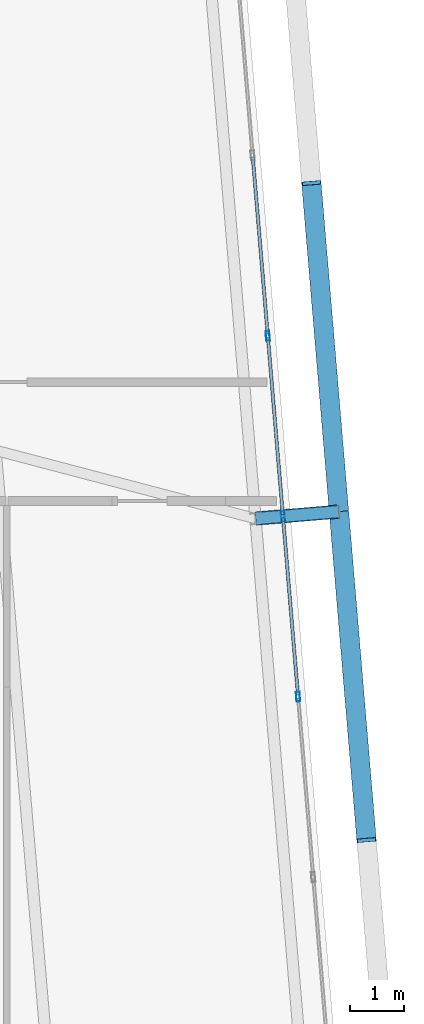
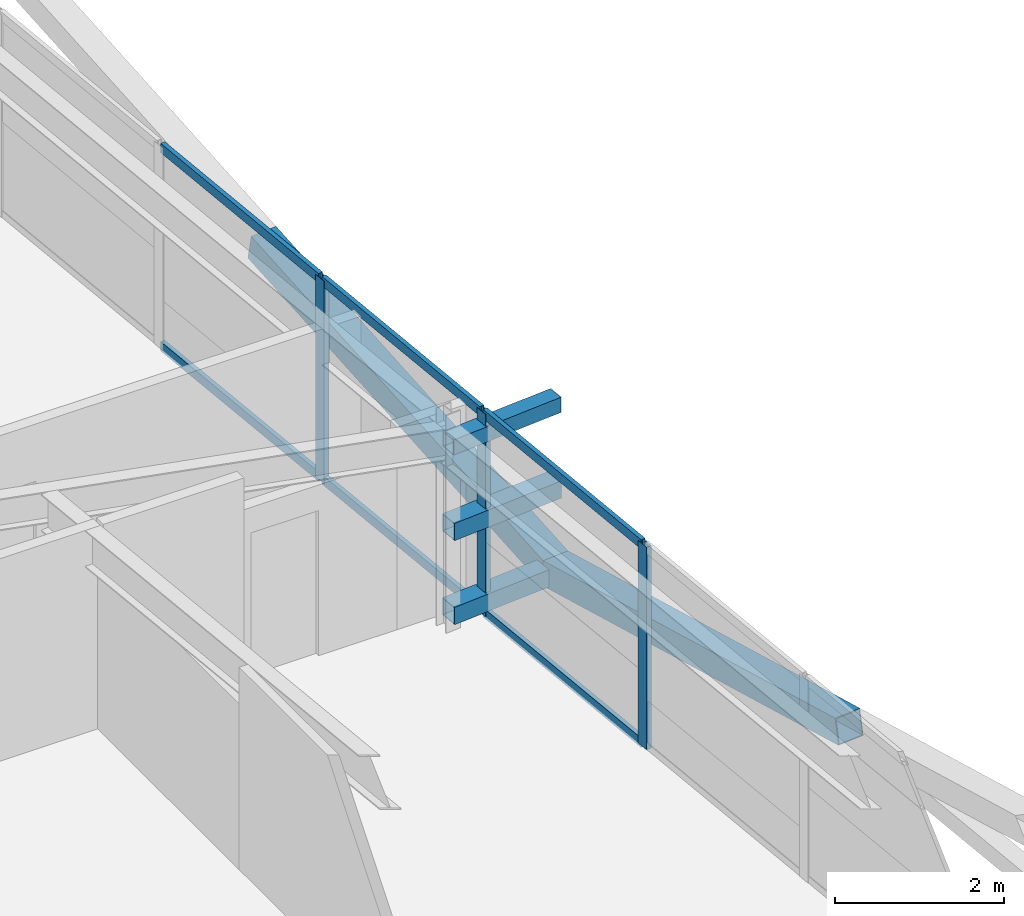
# One storey, part 25 of 46: 14 members, 1 element without a shape of its own.
"""IFC4 building model written with IfcOpenShell, lengths in metres."""

from ifc_helpers import new_model, si_unit, direction, frame, origin, origin_2d, place, context, subcontext, project, spatial, hollow_rectangle, extrude, source, transform, mapped, material, layer, layer_set, material_profile, profile_set, type_object, element, aggregate, save


model = new_model("IFC4")

# Units and contexts
model_context = context("Model", 3, precision=1e-05, world=origin(), true_north=direction((0.0, 1.0)))
body_context = subcontext(model_context, "Body", "Model", "MODEL_VIEW")
ifc_project = project(units=[si_unit("LENGTHUNIT", "METRE"), si_unit("AREAUNIT", "SQUARE_METRE"), si_unit("VOLUMEUNIT", "CUBIC_METRE"), si_unit("PLANEANGLEUNIT", "RADIAN"), si_unit("MASSUNIT", "GRAM", prefix="KILO")], contexts=[model_context])

# Site, building, storey
site_placement = place(None, origin())
site = spatial("IfcSite", under=ifc_project, at=site_placement, CompositionType="ELEMENT")
building_placement = place(site_placement, origin())
building = spatial("IfcBuilding", under=site, at=building_placement, Name="Taldren Reach Tower", CompositionType="ELEMENT")
storey_placement = place(building_placement, frame((0.0, 0.0, 194.60009765625)))
storey = spatial("IfcBuildingStorey", under=building, at=storey_placement, Name="L59", CompositionType="ELEMENT", Elevation=194.60009765625)

# Members
ifc_material_1 = material(Name="Steel Gr 450 (C450L0)", Category="steel")
ifc_material_profile_1 = material_profile(ifc_material_1, hollow_rectangle(XDim=0.219970703125, YDim=0.219970703125, WallThickness=0.00830078125, at=origin_2d()), Name="220x220x8.2SHS")
ifc_profile_set_1 = profile_set([ifc_material_profile_1], Name="Steel Gr 450 (C450L0)")
member_type_1 = type_object("IfcMemberType", Name="MB-TIE219", PredefinedType="STRUT", material=ifc_profile_set_1)
shared_shape_1 = source(origin(), body_context, "Body", "SweptSolid", [
    extrude(hollow_rectangle(XDim=0.219970703125, YDim=0.219970703125, WallThickness=0.00830078125, at=origin_2d()), origin(), (0.0, 0.0, 1.0), 1.54541015625),
])
member_1_placement = place(storey_placement, frame((60.621826171875, 21.47509765625, 2.64990234375), z_axis=(0.99648887425, 0.083725285883, 0.0), x_axis=(-0.083725285883, 0.99648887425, 0.0)))
element("IfcMember", 1, at=member_1_placement, inside=storey, type_object=member_type_1, Name="Exoskeleton diaphragm tie strut B4-E2 L59", PredefinedType="STRUT", context=body_context, shape_type="MappedRepresentation", body=[
    mapped(shared_shape_1, transform((0.0, 0.0, 0.0), scale=1.0)),
])
ifc_material_2 = material(Name="Steel Gr 350 (C350L0)", Category="steel")
ifc_material_profile_2 = material_profile(ifc_material_2, hollow_rectangle(XDim=0.25, YDim=0.25, WallThickness=0.010009765625, at=origin_2d()), Name="250x250x10.0SHS")
ifc_profile_set_2 = profile_set([ifc_material_profile_2], Name="Steel Gr 350 (C350L0)")
member_type_2 = type_object("IfcMemberType", Name="MB-POST250", PredefinedType="POST", material=ifc_profile_set_2)
shared_shape_2 = source(origin(), body_context, "Body", "SweptSolid", [
    extrude(hollow_rectangle(XDim=0.25, YDim=0.25, WallThickness=0.010009765625, at=origin_2d()), origin(), (0.0, 0.0, 1.0), 1.54541015625),
])
for number, where, z_axis, x_axis, name in (
    (2, (60.621826171875, 21.47509765625, 0.219970703125), (0.99648887425, 0.083725285883, 0.0), (-0.083725285883, 0.99648887425, 0.0), "Exoskeleton base diaphragm tie strut B4-E2 L59"),
    (3, (60.621826171875, 21.47509765625, 1.434814453125), (0.99648887425, 0.083725285883, 0.0), (-0.083725285883, 0.99648887425, 0.0), "Exoskeleton mid-tier diaphragm tie B4-E2 L59"),
):
    element("IfcMember", number, at=place(storey_placement, frame(where, z_axis=z_axis, x_axis=x_axis)), inside=storey, type_object=member_type_2, Name=name, PredefinedType="POST", context=body_context, shape_type="MappedRepresentation", body=[
        mapped(shared_shape_2, transform((0.0, 0.0, 0.0), scale=1.0)),
    ])
ifc_material_profile_3 = material_profile(ifc_material_1, hollow_rectangle(XDim=0.360107421875, YDim=0.360107421875, WallThickness=0.0126953125, at=origin_2d()), Name="360x360x12.7SHS")
ifc_profile_set_3 = profile_set([ifc_material_profile_3], Name="Steel Gr 450 (C450L0)")
member_type_3 = type_object("IfcMemberType", Name="MB-EXO356", PredefinedType="BRACE", material=ifc_profile_set_3)
shared_shape_3 = source(origin(), body_context, "Body", "SweptSolid", [
    extrude(hollow_rectangle(XDim=0.360107421875, YDim=0.360107421875, WallThickness=0.0126953125, at=origin_2d()), origin(), (0.0, 0.0, 1.0), 6.2197265625),
])
for number, where, z_axis, x_axis, name in (
    (4, (62.161865234375, 21.6044921875, 0.219970703125), (0.082037206294, -0.977302565702, 0.195319205034), (0.996495340012, 0.08364829547, 0.0), "Exoskeleton Diagrid Brace B4-E1 L59"),
    (5, (62.161865234375, 21.6044921875, 0.219970703125), (-0.082076194186, 0.977299417909, 0.19531857593), (-0.996492003099, -0.083688038336, 0.0), "Exoskeleton Diagrid Brace B4-E2 L59"),
):
    element("IfcMember", number, at=place(storey_placement, frame(where, z_axis=z_axis, x_axis=x_axis)), inside=storey, type_object=member_type_3, Name=name, PredefinedType="BRACE", context=body_context, shape_type="MappedRepresentation", body=[
        mapped(shared_shape_3, transform((0.0, 0.0, 0.0), scale=1.0)),
    ])

# Curtain wall, members
ifc_material_3 = material(Name="Aluminium and Low-E Glass Unitised System", Category="aluminium")
ifc_layer = layer(ifc_material_3, 0.159912109375)
ifc_layer_set = layer_set([ifc_layer], Name="Aluminium and Low-E Glass Unitised System")
curtain_wall_type = type_object("IfcCurtainWallType", Name="CW-SYS-5", PredefinedType="NOTDEFINED", material=ifc_layer_set)
curtain_wall_placement = place(storey_placement, origin())
curtain_wall = element("IfcCurtainWall", 6, at=curtain_wall_placement, inside=storey, type_object=curtain_wall_type, Name="Unitised curtain wall CW-L59-E", PredefinedType="NOTDEFINED")
ifc_material_4 = material(Name="Anodised Aluminium 6063-T6", Category="aluminium")
ifc_material_profile_4 = material_profile(ifc_material_4, hollow_rectangle(XDim=0.070068359375, YDim=0.179931640625, WallThickness=0.00390625, at=origin_2d()), Name="ALU-180x70x4RHS")
ifc_profile_set_4 = profile_set([ifc_material_profile_4], Name="Anodised Aluminium 6063-T6")
member_type_4 = type_object("IfcMemberType", Name="CW-MUL-180", PredefinedType="MULLION", material=ifc_profile_set_4)
shared_shape_4 = source(origin(), body_context, "Body", "SweptSolid", [
    extrude(hollow_rectangle(XDim=0.070068359375, YDim=0.179931640625, WallThickness=0.00390625, at=origin_2d()), origin(), (0.0, 0.0, 1.0), 2.929931640625),
])
member_2_placement = place(storey_placement, frame((61.40576171875, 18.17919921875, 0.0), z_axis=(0.0, 0.0, 1.0), x_axis=(-0.996492847789, -0.083677979808, 0.0)))
member_2 = element("IfcMember", 7, at=member_2_placement, type_object=member_type_4, Name="CW-5 mullion 4", PredefinedType="MULLION", context=body_context, shape_type="MappedRepresentation", body=[
    mapped(shared_shape_4, transform((0.0, 0.0, 0.0), scale=1.0)),
])
member_3_placement = place(storey_placement, frame((61.12548828125, 21.517578125, 0.0), z_axis=(0.0, 0.0, 1.0), x_axis=(-0.996492847789, -0.083677979808, 0.0)))
member_3 = element("IfcMember", 8, at=member_3_placement, type_object=member_type_4, Name="CW-5 mullion 5", PredefinedType="MULLION", context=body_context, shape_type="MappedRepresentation", body=[
    mapped(shared_shape_4, transform((0.0, 0.0, 0.0), scale=1.0)),
])
member_4_placement = place(storey_placement, frame((60.84521484375, 24.855712890625, 0.0), z_axis=(0.0, 0.0, 1.0), x_axis=(-0.996492847789, -0.083677979808, 0.0)))
member_4 = element("IfcMember", 9, at=member_4_placement, type_object=member_type_4, Name="CW-5 mullion 6", PredefinedType="MULLION", context=body_context, shape_type="MappedRepresentation", body=[
    mapped(shared_shape_4, transform((0.0, 0.0, 0.0), scale=1.0)),
])
ifc_material_profile_5 = material_profile(ifc_material_4, hollow_rectangle(XDim=0.06005859375, YDim=0.135009765625, WallThickness=0.00341796875, at=origin_2d()), Name="ALU-135x60x3.5RHS")
ifc_profile_set_5 = profile_set([ifc_material_profile_5], Name="Anodised Aluminium 6063-T6")
member_type_5 = type_object("IfcMemberType", Name="CW-TRN-150", PredefinedType="USERDEFINED", material=ifc_profile_set_5)
shared_shape_5 = source(origin(), body_context, "Body", "SweptSolid", [
    extrude(hollow_rectangle(XDim=0.06005859375, YDim=0.135009765625, WallThickness=0.00341796875, at=origin_2d()), origin(), (0.0, 0.0, 1.0), 3.280029296875),
])
member_5_placement = place(storey_placement, frame((61.40283203125, 18.214111328125, 0.02978515625), z_axis=(-0.083661452101, 0.996494235524, 0.0), x_axis=(-0.996494235524, -0.083661452101, 0.0)))
member_5 = element("IfcMember", 10, at=member_5_placement, type_object=member_type_5, Name="CW-5 transom 4.1", ObjectType="TRANSOM", PredefinedType="USERDEFINED", context=body_context, shape_type="MappedRepresentation", body=[
    mapped(shared_shape_5, transform((0.0, 0.0, 0.0), scale=1.0)),
])
member_6_placement = place(storey_placement, frame((61.40283203125, 18.214111328125, 2.89990234375), z_axis=(-0.083661452101, 0.996494235524, 0.0), x_axis=(-0.996494235524, -0.083661452101, 0.0)))
member_6 = element("IfcMember", 11, at=member_6_placement, type_object=member_type_5, Name="CW-5 transom 4.2", ObjectType="TRANSOM", PredefinedType="USERDEFINED", context=body_context, shape_type="MappedRepresentation", body=[
    mapped(shared_shape_5, transform((0.0, 0.0, 0.0), scale=1.0)),
])
member_7_placement = place(storey_placement, frame((61.12255859375, 21.55224609375, 0.02978515625), z_axis=(-0.083661452101, 0.996494235524, 0.0), x_axis=(-0.996494235524, -0.083661452101, 0.0)))
member_7 = element("IfcMember", 12, at=member_7_placement, type_object=member_type_5, Name="CW-5 transom 5.1", ObjectType="TRANSOM", PredefinedType="USERDEFINED", context=body_context, shape_type="MappedRepresentation", body=[
    mapped(shared_shape_5, transform((0.0, 0.0, 0.0), scale=1.0)),
])
member_8_placement = place(storey_placement, frame((61.12255859375, 21.55224609375, 2.89990234375), z_axis=(-0.083661452101, 0.996494235524, 0.0), x_axis=(-0.996494235524, -0.083661452101, 0.0)))
member_8 = element("IfcMember", 13, at=member_8_placement, type_object=member_type_5, Name="CW-5 transom 5.2", ObjectType="TRANSOM", PredefinedType="USERDEFINED", context=body_context, shape_type="MappedRepresentation", body=[
    mapped(shared_shape_5, transform((0.0, 0.0, 0.0), scale=1.0)),
])
member_9_placement = place(storey_placement, frame((60.84228515625, 24.890625, 0.02978515625), z_axis=(-0.083735362341, 0.996488027572, 0.0), x_axis=(-0.996488027572, -0.083735362341, 0.0)))
member_9 = element("IfcMember", 14, at=member_9_placement, type_object=member_type_5, Name="CW-5 transom 6.1", ObjectType="TRANSOM", PredefinedType="USERDEFINED", context=body_context, shape_type="MappedRepresentation", body=[
    mapped(shared_shape_5, transform((0.0, 0.0, 0.0), scale=1.0)),
])
member_10_placement = place(storey_placement, frame((60.84228515625, 24.890625, 2.89990234375), z_axis=(-0.083735362341, 0.996488027572, 0.0), x_axis=(-0.996488027572, -0.083735362341, 0.0)))
member_10 = element("IfcMember", 15, at=member_10_placement, type_object=member_type_5, Name="CW-5 transom 6.2", ObjectType="TRANSOM", PredefinedType="USERDEFINED", context=body_context, shape_type="MappedRepresentation", body=[
    mapped(shared_shape_5, transform((0.0, 0.0, 0.0), scale=1.0)),
])
aggregate(curtain_wall, [member_2, member_3, member_4, member_5, member_6, member_7, member_8, member_9, member_10])

save(model, "model.ifc")
